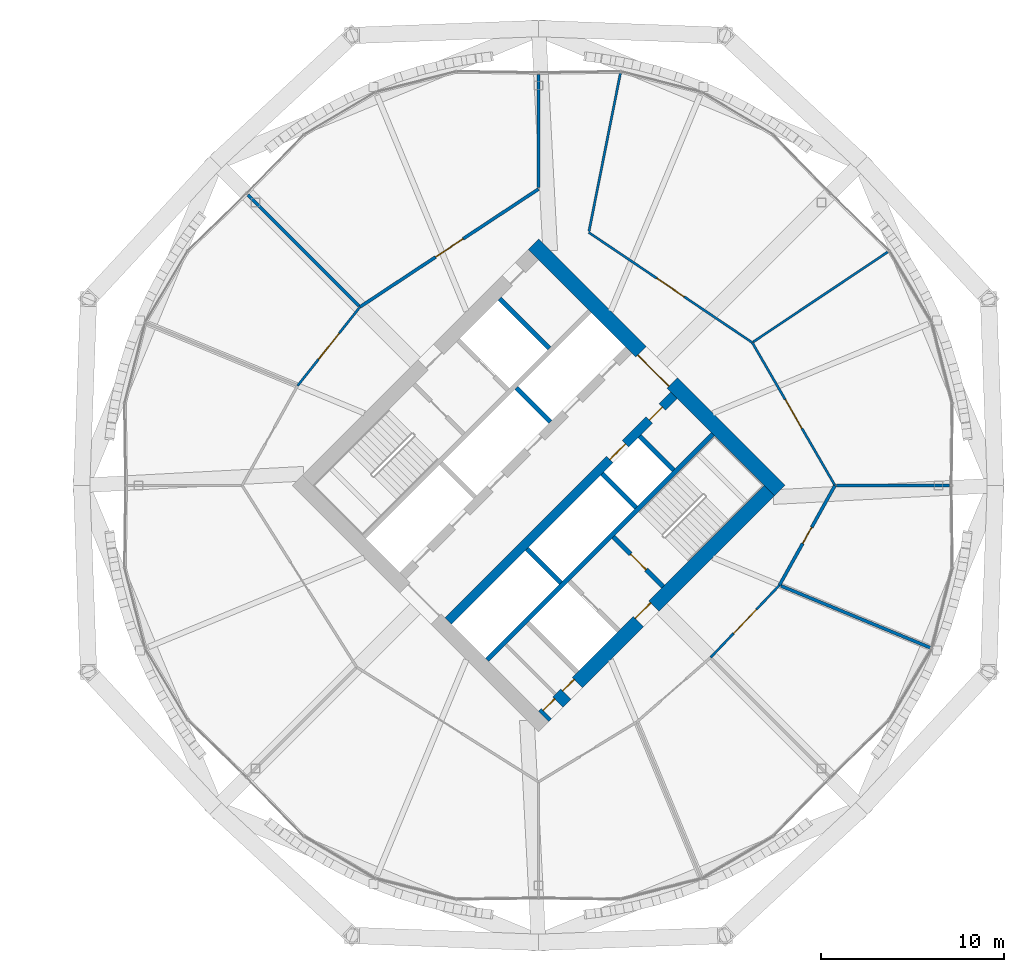
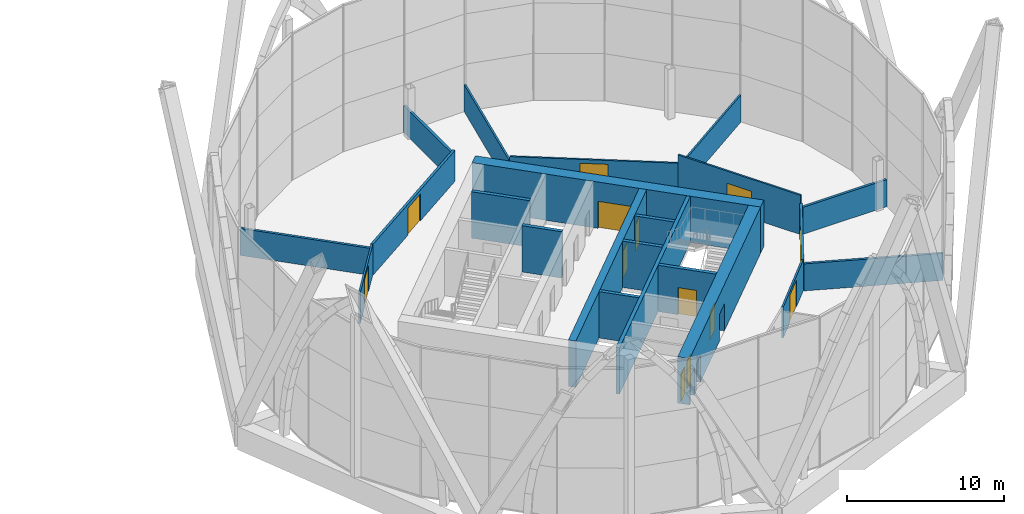
# One storey, part 31 of 37: 22 walls, 13 doors, 13 openings.
"""IFC4 building model written with IfcOpenShell, lengths in metres."""

from ifc_helpers import new_model, si_unit, direction, frame, frame_2d, origin, place, context, subcontext, project, spatial, rectangle, extrude, material, layer, layer_set, type_object, element, fill, save


model = new_model("IFC4")

# Units and contexts
model_context = context("Model", 3, precision=1e-05, world=origin(), true_north=direction((0.0, 1.0)))
body_context = subcontext(model_context, "Body", "Model", "MODEL_VIEW")
ifc_project = project(units=[si_unit("LENGTHUNIT", "METRE"), si_unit("AREAUNIT", "SQUARE_METRE"), si_unit("VOLUMEUNIT", "CUBIC_METRE"), si_unit("PLANEANGLEUNIT", "RADIAN"), si_unit("MASSUNIT", "GRAM", prefix="KILO")], contexts=[model_context])

# Site, building, storey
site_placement = place(None, origin())
site = spatial("IfcSite", under=ifc_project, at=site_placement, CompositionType="ELEMENT")
building_placement = place(site_placement, origin())
building = spatial("IfcBuilding", under=site, at=building_placement, Name="Ogive Gate Towers", CompositionType="ELEMENT")
storey_placement = place(building_placement, frame((0.0, 0.0, 32.39990234375)))
storey = spatial("IfcBuildingStorey", under=building, at=storey_placement, Name="L06", CompositionType="ELEMENT", Elevation=32.39990234375)

# Walls
ifc_material_1 = material(Name="Gypsum board acoustic partition")
ifc_layer_1 = layer(ifc_material_1, 0.175048828125)
ifc_layer_set_1 = layer_set([ifc_layer_1], Name="Acoustic partition 175")
wall_type_1 = type_object("IfcWallType", Name="Acoustic partition 175", PredefinedType="PARTITIONING", material=ifc_layer_set_1)
for number, where, z_axis, x_axis, name in (
    (1, (58.408935546875, 0.0, 0.0), (0.0, 0.0, 1.0), (-1.0, 0.0, 0.0), "Partition T2-L06-001"),
    (2, (36.0, 22.408935546875, 0.0), (0.0, 0.0, 1.0), (0.0, -1.0, 0.0), "Partition T2-L06-004"),
):
    element("IfcWall", number, at=place(storey_placement, frame(where, z_axis=z_axis, x_axis=x_axis)), inside=storey, type_object=wall_type_1, Name=name, PredefinedType="PARTITIONING", context=body_context, shape_type="SweptSolid", body=[
        extrude(rectangle(XDim=6.161376953125, YDim=0.175048828125, at=frame_2d((3.08056640625, 0.0))), origin(), (0.0, 0.0, 1.0), 2.10009765625),
    ])
wall_1_placement = place(storey_placement, frame((20.154296875, 15.845703125, 0.0), z_axis=(0.0, 0.0, 1.0), x_axis=(0.707106781187, -0.707106781187, 0.0)))
element("IfcWall", 3, at=wall_1_placement, inside=storey, type_object=wall_type_1, Name="Partition T2-L06-005", PredefinedType="PARTITIONING", context=body_context, shape_type="SweptSolid", body=[
    extrude(rectangle(XDim=8.557861328125, YDim=0.175048828125, at=frame_2d((4.27880859375, 0.0))), origin(), (0.0, 0.0, 1.0), 2.10009765625),
])
wall_2_placement = place(storey_placement, frame((57.452880859375, -8.885986328125, 0.0), z_axis=(0.0, 0.0, 1.0), x_axis=(-0.923884034118, 0.382672564344, 0.0)))
element("IfcWall", 4, at=wall_2_placement, inside=storey, type_object=wall_type_1, Name="Partition T2-L06-012", PredefinedType="PARTITIONING", context=body_context, shape_type="SweptSolid", body=[
    extrude(rectangle(XDim=8.917724609375, YDim=0.175048828125, at=frame_2d((4.458984375, 0.0))), origin(), (0.0, 0.0, 1.0), 2.10009765625),
])

# Wall, opening, door
wall_3_placement = place(storey_placement, frame((36.0, 16.159912109375, 0.0), z_axis=(0.0, 0.0, 1.0), x_axis=(-0.834464064911, -0.551062359785, 0.0)))
wall_3 = element("IfcWall", 5, at=wall_3_placement, inside=storey, type_object=wall_type_1, Name="Partition T2-L06-013", PredefinedType="PARTITIONING", context=body_context, shape_type="SweptSolid", body=[
    extrude(rectangle(XDim=11.663330078125, YDim=0.175048828125, at=frame_2d((5.83154296875, 0.0))), origin(), (0.0, 0.0, 1.0), 2.400146484375),
])
opening_1_placement = place(wall_3_placement, frame((4.931884765625, 0.0, 0.0)))
opening_1 = element("IfcOpeningElement", 6, at=opening_1_placement, cuts=wall_3, Name="Opening T2-L06-D01", PredefinedType="OPENING", context=body_context, shape_type="SweptSolid", body=[
    extrude(rectangle(XDim=1.800048828125, YDim=2.10009765625, at=frame_2d((0.89990234375, 1.050048828125))), frame((0.0, 0.09765625, 0.0), z_axis=(0.0, -1.0, 0.0), x_axis=(1.0, 0.0, 0.0)), (0.0, 0.0, 1.0), 0.195068359375),
])
ifc_material_2 = material(Name="Timber door", Category="wood")
door_type_1 = type_object("IfcDoorType", Name="Door pair 1800", OperationType="NOTDEFINED", PredefinedType="DOOR", material=ifc_material_2)
door_1_placement = place(opening_1_placement, origin())
door_1 = element("IfcDoor", 7, at=door_1_placement, inside=storey, type_object=door_type_1, Name="Door T2-L06-D01", OperationType="DOUBLE_DOOR_DOUBLE_SWING", OverallHeight=2.10009765625, OverallWidth=1.800048828125, PredefinedType="DOOR", context=body_context, shape_type="SweptSolid", body=[
    extrude(rectangle(XDim=1.800048828125, YDim=2.10009765625, at=frame_2d((0.89990234375, 1.050048828125))), frame((0.0, 0.02490234375, 0.0), z_axis=(0.0, -1.0, 0.0), x_axis=(1.0, 0.0, 0.0)), (0.0, 0.0, 1.0), 0.050048828125),
])
fill(opening_1, door_1)

wall_4_placement = place(storey_placement, frame((49.133056640625, -5.43994140625, 0.0), z_axis=(0.0, 0.0, 1.0), x_axis=(0.486215546884, 0.873838910766, 0.0)))
wall_4 = element("IfcWall", 8, at=wall_4_placement, inside=storey, type_object=wall_type_1, Name="Partition T2-L06-021", PredefinedType="PARTITIONING", context=body_context, shape_type="SweptSolid", body=[
    extrude(rectangle(XDim=6.225341796875, YDim=0.175048828125, at=frame_2d((3.11279296875, 0.0))), origin(), (0.0, 0.0, 1.0), 2.400146484375),
])
opening_2_placement = place(wall_4_placement, frame((2.613037109375, 0.0, 0.0)))
opening_2 = element("IfcOpeningElement", 9, at=opening_2_placement, cuts=wall_4, Name="Opening T2-L06-D09", PredefinedType="OPENING", context=body_context, shape_type="SweptSolid", body=[
    extrude(rectangle(XDim=1.0, YDim=2.10009765625, at=frame_2d((0.5, 1.050048828125))), frame((0.0, 0.09765625, 0.0), z_axis=(0.0, -1.0, 0.0), x_axis=(1.0, 0.0, 0.0)), (0.0, 0.0, 1.0), 0.195068359375),
])
door_type_2 = type_object("IfcDoorType", Name="Door 1000", OperationType="NOTDEFINED", PredefinedType="DOOR", material=ifc_material_2)
door_2_placement = place(opening_2_placement, origin())
door_2 = element("IfcDoor", 10, at=door_2_placement, inside=storey, type_object=door_type_2, Name="Door T2-L06-D09", OperationType="SINGLE_SWING_RIGHT", OverallHeight=2.10009765625, OverallWidth=1.0, PredefinedType="DOOR", context=body_context, shape_type="SweptSolid", body=[
    extrude(rectangle(XDim=1.0, YDim=2.10009765625, at=frame_2d((0.5, 1.050048828125))), frame((0.0, 0.02490234375, 0.0), z_axis=(0.0, -1.0, 0.0), x_axis=(1.0, 0.0, 0.0)), (0.0, 0.0, 1.0), 0.050048828125),
])
fill(opening_2, door_2)

# Wall, openings, doors
ifc_material_3 = material(Name="Concrete C60/75", Category="concrete")
ifc_layer_2 = layer(ifc_material_3, 0.800048828125)
ifc_layer_set_2 = layer_set([ifc_layer_2], Name="Core wall 800 mm")
wall_type_2 = type_object("IfcWallType", Name="Core wall 800 mm", PredefinedType="SHEAR", material=ifc_layer_set_2)
wall_5_placement = place(storey_placement, frame((36.28271484375, -12.58642578125, 0.0), z_axis=(0.0, 0.0, 1.0), x_axis=(0.707106781187, 0.707106781187, 0.0)))
wall_5 = element("IfcWall", 11, at=wall_5_placement, inside=storey, type_object=wall_type_2, Name="T2 L06 Core wall 800 mm", PredefinedType="SHEAR", context=body_context, shape_type="SweptSolid", body=[
    extrude(rectangle(XDim=17.400146484375, YDim=0.800048828125, at=frame_2d((8.7001953125, 0.0))), origin(), (0.0, 0.0, 1.0), 3.60009765625),
])
opening_3_placement = place(wall_5_placement, frame((7.300048828125, 0.0, 0.0)))
opening_3 = element("IfcOpeningElement", 12, at=opening_3_placement, cuts=wall_5, Name="Opening KD-T2-L06-16", PredefinedType="OPENING", context=body_context, shape_type="SweptSolid", body=[
    extrude(rectangle(XDim=1.199951171875, YDim=2.10009765625, at=frame_2d((0.60009765625, 1.050048828125))), frame((0.0, 0.41015625, 0.0), z_axis=(0.0, -1.0, 0.0), x_axis=(1.0, 0.0, 0.0)), (0.0, 0.0, 1.0), 0.820068359375),
])
opening_4_placement = place(wall_5_placement, frame((0.199951171875, 0.0, 0.0)))
opening_4 = element("IfcOpeningElement", 13, at=opening_4_placement, cuts=wall_5, Name="Opening KD-T2-L06-18", PredefinedType="OPENING", context=body_context, shape_type="SweptSolid", body=[
    extrude(rectangle(XDim=0.89990234375, YDim=2.10009765625, at=frame_2d((0.449951171875, 1.050048828125))), frame((0.0, 0.41015625, 0.0), z_axis=(0.0, -1.0, 0.0), x_axis=(1.0, 0.0, 0.0)), (0.0, 0.0, 1.0), 0.820068359375),
])
opening_5_placement = place(wall_5_placement, frame((1.699951171875, 0.0, 0.0)))
opening_5 = element("IfcOpeningElement", 14, at=opening_5_placement, cuts=wall_5, Name="Opening KD-T2-L06-19", PredefinedType="OPENING", context=body_context, shape_type="SweptSolid", body=[
    extrude(rectangle(XDim=0.89990234375, YDim=2.10009765625, at=frame_2d((0.449951171875, 1.050048828125))), frame((0.0, 0.41015625, 0.0), z_axis=(0.0, -1.0, 0.0), x_axis=(1.0, 0.0, 0.0)), (0.0, 0.0, 1.0), 0.820068359375),
])
door_type_3 = type_object("IfcDoorType", Name="Core WC door 900 x 2100", OperationType="NOTDEFINED", PredefinedType="DOOR", material=ifc_material_2)
door_3_placement = place(opening_4_placement, origin())
door_3 = element("IfcDoor", 15, at=door_3_placement, inside=storey, type_object=door_type_3, Name="T2 L06 Core door", OperationType="SINGLE_SWING_LEFT", OverallHeight=2.10009765625, OverallWidth=0.89990234375, PredefinedType="DOOR", context=body_context, shape_type="SweptSolid", body=[
    extrude(rectangle(XDim=0.89990234375, YDim=2.10009765625, at=frame_2d((0.449951171875, 1.050048828125))), frame((0.0, 0.27490234375, 0.0), z_axis=(0.0, -1.0, 0.0), x_axis=(1.0, 0.0, 0.0)), (0.0, 0.0, 1.0), 0.050048828125),
])
fill(opening_4, door_3)
door_4_placement = place(opening_5_placement, origin())
door_4 = element("IfcDoor", 16, at=door_4_placement, inside=storey, type_object=door_type_3, Name="T2 L06 Core door", OperationType="SINGLE_SWING_RIGHT", OverallHeight=2.10009765625, OverallWidth=0.89990234375, PredefinedType="DOOR", context=body_context, shape_type="SweptSolid", body=[
    extrude(rectangle(XDim=0.89990234375, YDim=2.10009765625, at=frame_2d((0.449951171875, 1.050048828125))), frame((0.0, 0.27490234375, 0.0), z_axis=(0.0, -1.0, 0.0), x_axis=(1.0, 0.0, 0.0)), (0.0, 0.0, 1.0), 0.050048828125),
])
fill(opening_5, door_4)
ifc_material_4 = material(Name="Steel fire door", Category="steel")
door_type_4 = type_object("IfcDoorType", Name="Core door FD60S 1200 x 2100", OperationType="NOTDEFINED", PredefinedType="DOOR", material=ifc_material_4)
door_5_placement = place(opening_3_placement, origin())
door_5 = element("IfcDoor", 17, at=door_5_placement, inside=storey, type_object=door_type_4, Name="T2 L06 Fire-fighting lobby door", OperationType="SINGLE_SWING_LEFT", OverallHeight=2.10009765625, OverallWidth=1.199951171875, PredefinedType="DOOR", context=body_context, shape_type="SweptSolid", body=[
    extrude(rectangle(XDim=1.199951171875, YDim=2.10009765625, at=frame_2d((0.60009765625, 1.050048828125))), frame((0.0, 0.27490234375, 0.0), z_axis=(0.0, -1.0, 0.0), x_axis=(1.0, 0.0, 0.0)), (0.0, 0.0, 1.0), 0.050048828125),
])
fill(opening_3, door_5)

# Wall, opening, door
wall_6_placement = place(storey_placement, frame((49.152099609375, -0.28271484375, 0.0), z_axis=(0.0, 0.0, 1.0), x_axis=(-0.707106781187, 0.707106781187, 0.0)))
wall_6 = element("IfcWall", 18, at=wall_6_placement, inside=storey, type_object=wall_type_2, Name="T2 L06 Core wall 800 mm", PredefinedType="SHEAR", context=body_context, shape_type="SweptSolid", body=[
    extrude(rectangle(XDim=18.999755859375, YDim=0.800048828125, at=frame_2d((9.5, 0.0))), origin(), (0.0, 0.0, 1.0), 3.60009765625),
])
opening_6_placement = place(wall_6_placement, frame((8.300048828125, 0.0, 0.0)))
opening_6 = element("IfcOpeningElement", 19, at=opening_6_placement, cuts=wall_6, Name="Opening KD-T2-L06-02", PredefinedType="OPENING", context=body_context, shape_type="SweptSolid", body=[
    extrude(rectangle(XDim=2.39990234375, YDim=2.10009765625, at=frame_2d((1.199951171875, 1.050048828125))), frame((0.0, 0.41015625, 0.0), z_axis=(0.0, -1.0, 0.0), x_axis=(1.0, 0.0, 0.0)), (0.0, 0.0, 1.0), 0.820068359375),
])
door_type_5 = type_object("IfcDoorType", Name="Core double door FD60S 2400 x 2100", OperationType="DOUBLE_DOOR_SINGLE_SWING", PredefinedType="DOOR", material=ifc_material_4)
door_6_placement = place(opening_6_placement, origin())
door_6 = element("IfcDoor", 20, at=door_6_placement, inside=storey, type_object=door_type_5, Name="T2 L06 Core door double", OperationType="DOUBLE_DOOR_SINGLE_SWING", OverallHeight=2.10009765625, OverallWidth=2.39990234375, PredefinedType="DOOR", context=body_context, shape_type="SweptSolid", body=[
    extrude(rectangle(XDim=2.39990234375, YDim=2.10009765625, at=frame_2d((1.199951171875, 1.050048828125))), frame((0.0, 0.27490234375, 0.0), z_axis=(0.0, -1.0, 0.0), x_axis=(1.0, 0.0, 0.0)), (0.0, 0.0, 1.0), 0.050048828125),
])
fill(opening_6, door_6)

# Walls
ifc_material_5 = material(Name="Gypsum board partition")
ifc_layer_3 = layer(ifc_material_5, 0.125)
ifc_layer_set_3 = layer_set([ifc_layer_3], Name="Partition 125")
wall_type_3 = type_object("IfcWallType", Name="Partition 125", PredefinedType="PARTITIONING", material=ifc_layer_set_3)
wall_7_placement = place(storey_placement, frame((55.044189453125, 12.734375, 0.0), z_axis=(0.0, 0.0, 1.0), x_axis=(-0.831275536351, -0.555860578441, 0.0)))
element("IfcWall", 21, at=wall_7_placement, inside=storey, type_object=wall_type_3, Name="Partition T2-L06-002", PredefinedType="PARTITIONING", context=body_context, shape_type="SweptSolid", body=[
    extrude(rectangle(XDim=8.83251953125, YDim=0.125, at=frame_2d((4.416259765625, 0.0))), origin(), (0.0, 0.0, 1.0), 2.10009765625),
])
wall_8_placement = place(storey_placement, frame((40.461669921875, 22.470947265625, 0.0), z_axis=(0.0, 0.0, 1.0), x_axis=(-0.194753354147, -0.980852247308, 0.0)))
element("IfcWall", 22, at=wall_8_placement, inside=storey, type_object=wall_type_3, Name="Partition T2-L06-003", PredefinedType="PARTITIONING", context=body_context, shape_type="SweptSolid", body=[
    extrude(rectangle(XDim=8.786376953125, YDim=0.125, at=frame_2d((4.39306640625, 0.0))), origin(), (0.0, 0.0, 1.0), 2.10009765625),
])

# Wall, opening, door
wall_9_placement = place(storey_placement, frame((26.267333984375, 9.732666015625, 0.0), z_axis=(0.0, 0.0, 1.0), x_axis=(-0.620925586951, -0.783869514313, 0.0)))
wall_9 = element("IfcWall", 23, at=wall_9_placement, inside=storey, type_object=wall_type_3, Name="Partition T2-L06-014", PredefinedType="PARTITIONING", context=body_context, shape_type="SweptSolid", body=[
    extrude(rectangle(XDim=5.476318359375, YDim=0.125, at=frame_2d((2.73828125, 0.0))), origin(), (0.0, 0.0, 1.0), 2.400146484375),
])
opening_7_placement = place(wall_9_placement, frame((1.837890625, 0.0, 0.0)))
opening_7 = element("IfcOpeningElement", 24, at=opening_7_placement, cuts=wall_9, Name="Opening T2-L06-D02", PredefinedType="OPENING", context=body_context, shape_type="SweptSolid", body=[
    extrude(rectangle(XDim=1.800048828125, YDim=2.10009765625, at=frame_2d((0.89990234375, 1.050048828125))), frame((0.0, 0.072509765625, 0.0), z_axis=(0.0, -1.0, 0.0), x_axis=(1.0, 0.0, 0.0)), (0.0, 0.0, 1.0), 0.14501953125),
])
door_7_placement = place(opening_7_placement, origin())
door_7 = element("IfcDoor", 25, at=door_7_placement, inside=storey, type_object=door_type_1, Name="Door T2-L06-D02", OperationType="DOUBLE_DOOR_DOUBLE_SWING", OverallHeight=2.10009765625, OverallWidth=1.800048828125, PredefinedType="DOOR", context=body_context, shape_type="SweptSolid", body=[
    extrude(rectangle(XDim=1.800048828125, YDim=2.10009765625, at=frame_2d((0.89990234375, 1.050048828125))), frame((0.0, 0.02490234375, 0.0), z_axis=(0.0, -1.0, 0.0), x_axis=(1.0, 0.0, 0.0)), (0.0, 0.0, 1.0), 0.050048828125),
])
fill(opening_7, door_7)

wall_10_placement = place(storey_placement, frame((45.379150390625, -9.379150390625, 0.0), z_axis=(0.0, 0.0, 1.0), x_axis=(0.689874727508, 0.723928767452, 0.0)))
wall_10 = element("IfcWall", 26, at=wall_10_placement, inside=storey, type_object=wall_type_3, Name="Partition T2-L06-020", PredefinedType="PARTITIONING", context=body_context, shape_type="SweptSolid", body=[
    extrude(rectangle(XDim=5.44140625, YDim=0.125, at=frame_2d((2.720703125, 0.0))), origin(), (0.0, 0.0, 1.0), 2.400146484375),
])
opening_8_placement = place(wall_10_placement, frame((1.821044921875, 0.0, 0.0)))
opening_8 = element("IfcOpeningElement", 27, at=opening_8_placement, cuts=wall_10, Name="Opening T2-L06-D08", PredefinedType="OPENING", context=body_context, shape_type="SweptSolid", body=[
    extrude(rectangle(XDim=1.800048828125, YDim=2.10009765625, at=frame_2d((0.89990234375, 1.050048828125))), frame((0.0, 0.072509765625, 0.0), z_axis=(0.0, -1.0, 0.0), x_axis=(1.0, 0.0, 0.0)), (0.0, 0.0, 1.0), 0.14501953125),
])
door_8_placement = place(opening_8_placement, origin())
door_8 = element("IfcDoor", 28, at=door_8_placement, inside=storey, type_object=door_type_1, Name="Door T2-L06-D08", OperationType="DOUBLE_DOOR_DOUBLE_SWING", OverallHeight=2.10009765625, OverallWidth=1.800048828125, PredefinedType="DOOR", context=body_context, shape_type="SweptSolid", body=[
    extrude(rectangle(XDim=1.800048828125, YDim=2.10009765625, at=frame_2d((0.89990234375, 1.050048828125))), frame((0.0, 0.02490234375, 0.0), z_axis=(0.0, -1.0, 0.0), x_axis=(1.0, 0.0, 0.0)), (0.0, 0.0, 1.0), 0.050048828125),
])
fill(opening_8, door_8)

wall_11_placement = place(storey_placement, frame((52.159912109375, 0.0, 0.0), z_axis=(0.0, 0.0, 1.0), x_axis=(-0.501035201394, 0.86542690446, 0.0)))
wall_11 = element("IfcWall", 29, at=wall_11_placement, inside=storey, type_object=wall_type_3, Name="Partition T2-L06-022", PredefinedType="PARTITIONING", context=body_context, shape_type="SweptSolid", body=[
    extrude(rectangle(XDim=9.00146484375, YDim=0.125, at=frame_2d((4.500732421875, 0.0))), origin(), (0.0, 0.0, 1.0), 3.050048828125),
])
opening_9_placement = place(wall_11_placement, frame((3.60107421875, 0.0, 0.0)))
opening_9 = element("IfcOpeningElement", 30, at=opening_9_placement, cuts=wall_11, Name="Opening T2-L06-D10", PredefinedType="OPENING", context=body_context, shape_type="SweptSolid", body=[
    extrude(rectangle(XDim=1.800048828125, YDim=2.10009765625, at=frame_2d((0.89990234375, 1.050048828125))), frame((0.0, 0.072509765625, 0.0), z_axis=(0.0, -1.0, 0.0), x_axis=(1.0, 0.0, 0.0)), (0.0, 0.0, 1.0), 0.14501953125),
])
door_9_placement = place(opening_9_placement, origin())
door_9 = element("IfcDoor", 31, at=door_9_placement, inside=storey, type_object=door_type_1, Name="Door T2-L06-D10", OperationType="DOUBLE_DOOR_DOUBLE_SWING", OverallHeight=2.10009765625, OverallWidth=1.800048828125, PredefinedType="DOOR", context=body_context, shape_type="SweptSolid", body=[
    extrude(rectangle(XDim=1.800048828125, YDim=2.10009765625, at=frame_2d((0.89990234375, 1.050048828125))), frame((0.0, 0.02490234375, 0.0), z_axis=(0.0, -1.0, 0.0), x_axis=(1.0, 0.0, 0.0)), (0.0, 0.0, 1.0), 0.050048828125),
])
fill(opening_9, door_9)

wall_12_placement = place(storey_placement, frame((47.64990234375, 7.7900390625, 0.0), z_axis=(0.0, 0.0, 1.0), x_axis=(-0.829447240364, 0.558585065548, 0.0)))
wall_12 = element("IfcWall", 32, at=wall_12_placement, inside=storey, type_object=wall_type_3, Name="Partition T2-L06-023", PredefinedType="PARTITIONING", context=body_context, shape_type="SweptSolid", body=[
    extrude(rectangle(XDim=10.744140625, YDim=0.125, at=frame_2d((5.3720703125, 0.0))), origin(), (0.0, 0.0, 1.0), 2.400146484375),
])
opening_10_placement = place(wall_12_placement, frame((4.471923828125, 0.0, 0.0)))
opening_10 = element("IfcOpeningElement", 33, at=opening_10_placement, cuts=wall_12, Name="Opening T2-L06-D11", PredefinedType="OPENING", context=body_context, shape_type="SweptSolid", body=[
    extrude(rectangle(XDim=1.800048828125, YDim=2.10009765625, at=frame_2d((0.89990234375, 1.050048828125))), frame((0.0, 0.072509765625, 0.0), z_axis=(0.0, -1.0, 0.0), x_axis=(1.0, 0.0, 0.0)), (0.0, 0.0, 1.0), 0.14501953125),
])
door_10_placement = place(opening_10_placement, origin())
door_10 = element("IfcDoor", 34, at=door_10_placement, inside=storey, type_object=door_type_1, Name="Door T2-L06-D11", OperationType="DOUBLE_DOOR_DOUBLE_SWING", OverallHeight=2.10009765625, OverallWidth=1.800048828125, PredefinedType="DOOR", context=body_context, shape_type="SweptSolid", body=[
    extrude(rectangle(XDim=1.800048828125, YDim=2.10009765625, at=frame_2d((0.89990234375, 1.050048828125))), frame((0.0, 0.02490234375, 0.0), z_axis=(0.0, -1.0, 0.0), x_axis=(1.0, 0.0, 0.0)), (0.0, 0.0, 1.0), 0.050048828125),
])
fill(opening_10, door_10)

# Walls
ifc_layer_4 = layer(ifc_material_3, 0.25)
ifc_layer_set_4 = layer_set([ifc_layer_4], Name="Shaft wall 250 mm")
wall_type_4 = type_object("IfcWallType", Name="Shaft wall 250 mm", PredefinedType="SHEAR", material=ifc_layer_set_4)
wall_13_placement = place(storey_placement, frame((33.206787109375, -9.510498046875, 0.0), z_axis=(0.0, 0.0, 1.0), x_axis=(0.707106781187, 0.707106781187, 0.0)))
element("IfcWall", 35, at=wall_13_placement, inside=storey, type_object=wall_type_4, Name="T2 L06 Shaft wall 250 mm", PredefinedType="SHEAR", context=body_context, shape_type="SweptSolid", body=[
    extrude(rectangle(XDim=17.400146484375, YDim=0.25, at=frame_2d((8.7001953125, 0.0))), origin(), (0.0, 0.0, 1.0), 3.60009765625),
])
wall_14_placement = place(storey_placement, frame((37.2197265625, -5.321044921875, 0.0), z_axis=(0.0, 0.0, 1.0), x_axis=(-0.707106781187, 0.707106781187, 0.0)))
element("IfcWall", 36, at=wall_14_placement, inside=storey, type_object=wall_type_4, Name="T2 L06 Shaft wall 250 mm", PredefinedType="SHEAR", context=body_context, shape_type="SweptSolid", body=[
    extrude(rectangle(XDim=2.625, YDim=0.25, at=frame_2d((1.3125, 0.0))), origin(), (0.0, 0.0, 1.0), 3.60009765625),
])

# Wall, opening, door
wall_15_placement = place(storey_placement, frame((42.7880859375, -5.515380859375, 0.0), z_axis=(0.0, 0.0, 1.0), x_axis=(-0.707106781187, 0.707106781187, 0.0)))
wall_15 = element("IfcWall", 37, at=wall_15_placement, inside=storey, type_object=wall_type_4, Name="T2 L06 Shaft wall 250 mm", PredefinedType="SHEAR", context=body_context, shape_type="SweptSolid", body=[
    extrude(rectangle(XDim=3.824951171875, YDim=0.25, at=frame_2d((1.91259765625, 0.0))), origin(), (0.0, 0.0, 1.0), 3.60009765625),
])
opening_11_placement = place(wall_15_placement, frame((1.300048828125, 0.0, 0.0)))
opening_11 = element("IfcOpeningElement", 38, at=opening_11_placement, cuts=wall_15, Name="Opening KD-T2-L06-14", PredefinedType="OPENING", context=body_context, shape_type="SweptSolid", body=[
    extrude(rectangle(XDim=1.199951171875, YDim=2.10009765625, at=frame_2d((0.60009765625, 1.050048828125))), frame((0.0, 0.135009765625, 0.0), z_axis=(0.0, -1.0, 0.0), x_axis=(1.0, 0.0, 0.0)), (0.0, 0.0, 1.0), 0.27001953125),
])
door_11_placement = place(opening_11_placement, origin())
door_11 = element("IfcDoor", 39, at=door_11_placement, inside=storey, type_object=door_type_4, Name="T2 L06 Stair door", OperationType="SINGLE_SWING_LEFT", OverallHeight=2.10009765625, OverallWidth=1.199951171875, PredefinedType="DOOR", context=body_context, shape_type="SweptSolid", body=[
    extrude(rectangle(XDim=1.199951171875, YDim=2.10009765625, at=frame_2d((0.60009765625, 1.050048828125))), frame((0.0, 0.02490234375, 0.0), z_axis=(0.0, -1.0, 0.0), x_axis=(1.0, 0.0, 0.0)), (0.0, 0.0, 1.0), 0.050048828125),
])
fill(opening_11, door_11)

# Walls
for number, where, z_axis, x_axis, name in (
    (40, (41.321044921875, -1.2197265625, 0.0), (0.0, 0.0, 1.0), (-0.707106781187, 0.707106781187, 0.0), "T2 L06 Shaft wall 250 mm"),
    (41, (36.636474609375, 3.46484375, 0.0), (0.0, 0.0, 1.0), (-0.707106781187, 0.707106781187, 0.0), "T2 L06 Shaft wall 250 mm"),
):
    element("IfcWall", number, at=place(storey_placement, frame(where, z_axis=z_axis, x_axis=x_axis)), inside=storey, type_object=wall_type_4, Name=name, PredefinedType="SHEAR", context=body_context, shape_type="SweptSolid", body=[
        extrude(rectangle(XDim=2.625, YDim=0.25, at=frame_2d((1.3125, 0.0))), origin(), (0.0, 0.0, 1.0), 3.60009765625),
    ])
wall_16_placement = place(storey_placement, frame((36.58349609375, 7.477783203125, 0.0), z_axis=(0.0, 0.0, 1.0), x_axis=(-0.707138693938, 0.707074866995, 0.0)))
element("IfcWall", 42, at=wall_16_placement, inside=storey, type_object=wall_type_4, Name="T2 L06 Shaft wall 250 mm", PredefinedType="SHEAR", context=body_context, shape_type="SweptSolid", body=[
    extrude(rectangle(XDim=3.824951171875, YDim=0.25, at=frame_2d((1.91259765625, 0.0))), origin(), (0.0, 0.0, 1.0), 3.60009765625),
])
wall_17_placement = place(storey_placement, frame((43.37158203125, 0.830810546875, 0.0), z_axis=(0.0, 0.0, 1.0), x_axis=(-0.707106781187, 0.707106781187, 0.0)))
element("IfcWall", 43, at=wall_17_placement, inside=storey, type_object=wall_type_4, Name="T2 L06 Shaft wall 250 mm", PredefinedType="SHEAR", context=body_context, shape_type="SweptSolid", body=[
    extrude(rectangle(XDim=2.625, YDim=0.25, at=frame_2d((1.3125, 0.0))), origin(), (0.0, 0.0, 1.0), 3.60009765625),
])

# Wall, openings, doors
ifc_layer_5 = layer(ifc_material_3, 0.5)
ifc_layer_set_5 = layer_set([ifc_layer_5], Name="Spine wall 500 mm")
wall_type_5 = type_object("IfcWallType", Name="Spine wall 500 mm", PredefinedType="SHEAR", material=ifc_layer_set_5)
wall_18_placement = place(storey_placement, frame((31.085693359375, -7.389404296875, 0.0), z_axis=(0.0, 0.0, 1.0), x_axis=(0.707106781187, 0.707106781187, 0.0)))
wall_18 = element("IfcWall", 44, at=wall_18_placement, inside=storey, type_object=wall_type_5, Name="T2 L06 Spine wall 500 mm", PredefinedType="SHEAR", context=body_context, shape_type="SweptSolid", body=[
    extrude(rectangle(XDim=17.400146484375, YDim=0.5, at=frame_2d((8.7001953125, 0.0))), origin(), (0.0, 0.0, 1.0), 3.60009765625),
])
opening_12_placement = place(wall_18_placement, frame((12.449951171875, 0.0, 0.0)))
opening_12 = element("IfcOpeningElement", 45, at=opening_12_placement, cuts=wall_18, Name="Opening LD-T2-L06-09", PredefinedType="OPENING", context=body_context, shape_type="SweptSolid", body=[
    extrude(rectangle(XDim=1.199951171875, YDim=2.10009765625, at=frame_2d((0.60009765625, 1.050048828125))), frame((0.0, 0.260009765625, 0.0), z_axis=(0.0, -1.0, 0.0), x_axis=(1.0, 0.0, 0.0)), (0.0, 0.0, 1.0), 0.52001953125),
])
opening_13_placement = place(wall_18_placement, frame((15.5, 0.0, 0.0)))
opening_13 = element("IfcOpeningElement", 46, at=opening_13_placement, cuts=wall_18, Name="Opening KD-T2-L06-12", PredefinedType="OPENING", context=body_context, shape_type="SweptSolid", body=[
    extrude(rectangle(XDim=1.0, YDim=2.10009765625, at=frame_2d((0.5, 1.050048828125))), frame((0.0, 0.260009765625, 0.0), z_axis=(0.0, -1.0, 0.0), x_axis=(1.0, 0.0, 0.0)), (0.0, 0.0, 1.0), 0.52001953125),
])
door_type_6 = type_object("IfcDoorType", Name="Core door FD60S 1000 x 2100", OperationType="NOTDEFINED", PredefinedType="DOOR", material=ifc_material_4)
door_12_placement = place(opening_13_placement, origin())
door_12 = element("IfcDoor", 47, at=door_12_placement, inside=storey, type_object=door_type_6, Name="T2 L06 Core door", OperationType="SINGLE_SWING_LEFT", OverallHeight=2.10009765625, OverallWidth=1.0, PredefinedType="DOOR", context=body_context, shape_type="SweptSolid", body=[
    extrude(rectangle(XDim=1.0, YDim=2.10009765625, at=frame_2d((0.5, 1.050048828125))), frame((0.0, 0.02490234375, 0.0), z_axis=(0.0, -1.0, 0.0), x_axis=(1.0, 0.0, 0.0)), (0.0, 0.0, 1.0), 0.050048828125),
])
fill(opening_13, door_12)
ifc_material_6 = material(Name="Stainless steel landing door", Category="steel")
door_type_7 = type_object("IfcDoorType", Name="Landing door 1200 x 2100", OperationType="SLIDING_TO_LEFT", PredefinedType="DOOR", material=ifc_material_6)
door_13_placement = place(opening_12_placement, origin())
door_13 = element("IfcDoor", 48, at=door_13_placement, inside=storey, type_object=door_type_7, Name="T2 L06 Lift landing door SVC", OperationType="SLIDING_TO_LEFT", OverallHeight=2.10009765625, OverallWidth=1.199951171875, PredefinedType="DOOR", context=body_context, shape_type="SweptSolid", body=[
    extrude(rectangle(XDim=1.199951171875, YDim=2.10009765625, at=frame_2d((0.60009765625, 1.050048828125))), frame((0.0, 0.02490234375, 0.0), z_axis=(0.0, -1.0, 0.0), x_axis=(1.0, 0.0, 0.0)), (0.0, 0.0, 1.0), 0.050048828125),
])
fill(opening_12, door_13)

save(model, "model.ifc")
